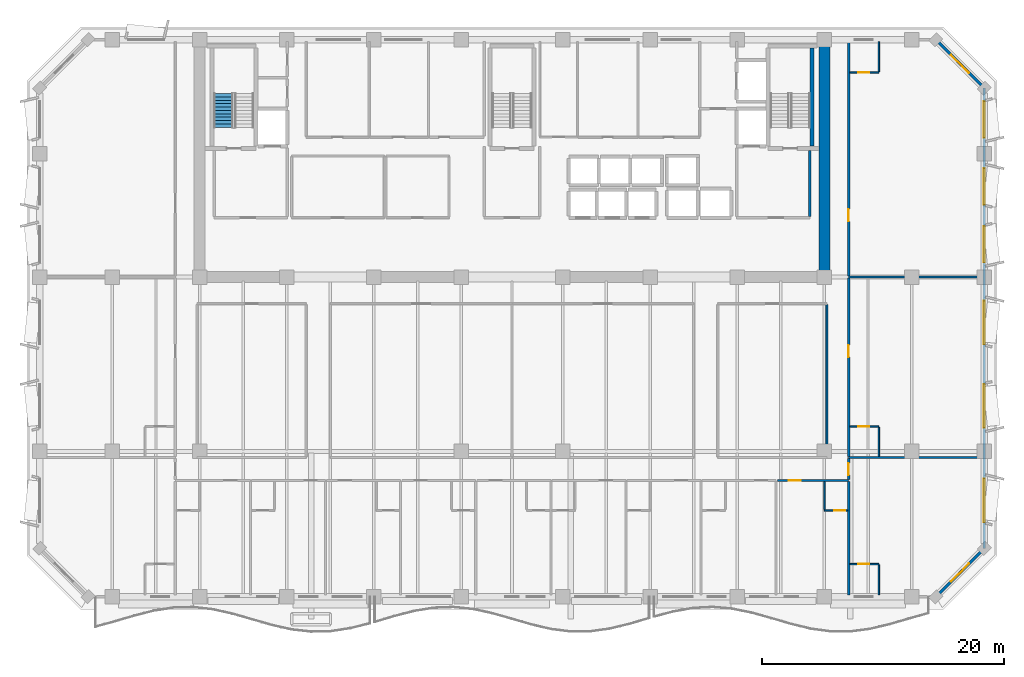
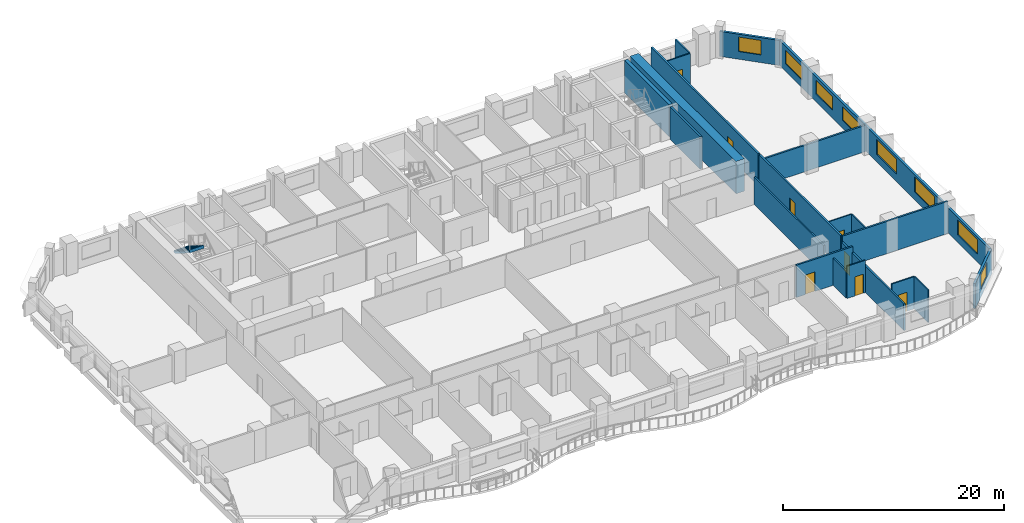
# One storey, part 9 of 15: 22 walls, 8 doors, 8 windows, 1 stair flight, 16 openings, 1 element without a shape of its own.
"""IFC4 building model written with IfcOpenShell, lengths in metres."""

from ifc_helpers import new_model, si_unit, direction, frame, frame_2d, origin, place, context, subcontext, project, spatial, polyline, rectangle, outline, extrude, material, layer, layer_set, type_object, element, fill, aggregate, save


model = new_model("IFC4")

# Units and contexts
model_context = context("Model", 3, precision=1e-05, world=origin(), true_north=direction((0.0, 1.0)))
body_context = subcontext(model_context, "Body", "Model", "MODEL_VIEW")
ifc_project = project(units=[si_unit("LENGTHUNIT", "METRE"), si_unit("AREAUNIT", "SQUARE_METRE"), si_unit("VOLUMEUNIT", "CUBIC_METRE"), si_unit("PLANEANGLEUNIT", "RADIAN"), si_unit("MASSUNIT", "GRAM", prefix="KILO")], contexts=[model_context])

# Site, building, storey
site_placement = place(None, origin())
site = spatial("IfcSite", under=ifc_project, at=site_placement, CompositionType="ELEMENT")
building_placement = place(site_placement, origin())
building = spatial("IfcBuilding", under=site, at=building_placement, Name="Kaelvorn Grand Hotel", CompositionType="ELEMENT")
storey_placement = place(building_placement, frame((0.0, 0.0, 150.550048828125)))
storey = spatial("IfcBuildingStorey", under=building, at=storey_placement, Name="L36", CompositionType="ELEMENT", Elevation=150.550048828125)

# Wall
ifc_material_1 = material(Name="Concrete C60/75", Category="concrete")
ifc_layer_1 = layer(ifc_material_1, 0.89990234375)
ifc_layer_set_1 = layer_set([ifc_layer_1], Name="Concrete C60/75")
wall_type_1 = type_object("IfcWallType", Name="WL-CORE-900-C60", PredefinedType="SHEAR", material=ifc_layer_set_1)
wall_1_placement = place(storey_placement, frame((67.800048828125, 29.39990234375, 0.0), z_axis=(0.0, 0.0, 1.0), x_axis=(0.0, 1.0, 0.0)))
element("IfcWall", 1, at=wall_1_placement, inside=storey, type_object=wall_type_1, Name="L36 Rear-Core East Shear Wall", PredefinedType="SHEAR", context=body_context, shape_type="SweptSolid", body=[
    extrude(rectangle(XDim=19.2001953125, YDim=0.89990234375, at=frame_2d((9.60009765625, 0.0))), origin(), (0.0, 0.0, 1.0), 3.56005859375),
])

# Wall, opening, window
ifc_material_2 = material(Name="Concrete C40/50", Category="concrete")
ifc_layer_2 = layer(ifc_material_2, 0.239990234375)
ifc_layer_set_2 = layer_set([ifc_layer_2], Name="Concrete C40/50")
wall_type_2 = type_object("IfcWallType", Name="WL-EXT-240-C40", PredefinedType="SOLIDWALL", material=ifc_layer_set_2)
wall_2_placement = place(storey_placement, frame((77.0, 3.0, 0.0), z_axis=(0.0, 0.0, 1.0), x_axis=(0.707106781187, 0.707106781187, 0.0)))
wall_2 = element("IfcWall", 2, at=wall_2_placement, inside=storey, type_object=wall_type_2, Name="L36 Exterior Architectural Concrete Wall 02", PredefinedType="SOLIDWALL", context=body_context, shape_type="SweptSolid", body=[
    extrude(rectangle(XDim=5.65673828125, YDim=0.239990234375, at=frame_2d((2.828369140625, 0.0))), origin(), (0.0, 0.0, 1.0), 2.760009765625),
])
opening_1_placement = place(wall_2_placement, frame((1.7783203125, 0.0, 0.85009765625)))
opening_1 = element("IfcOpeningElement", 3, at=opening_1_placement, cuts=wall_2, Name="Opening W7", PredefinedType="OPENING", context=body_context, shape_type="SweptSolid", body=[
    extrude(rectangle(XDim=2.10009765625, YDim=1.60009765625, at=frame_2d((1.050048828125, 0.800048828125))), frame((0.0, 0.1298828125, 0.0), z_axis=(0.0, -1.0, 0.0), x_axis=(1.0, 0.0, 0.0)), (0.0, 0.0, 1.0), 0.260009765625),
])
ifc_material_3 = material(Name="Laminated Low-E Glass", Category="glass")
window_type_1 = type_object("IfcWindowType", Name="WIN-CHM-2100x1600", PartitioningType="SINGLE_PANEL", PredefinedType="WINDOW", material=ifc_material_3)
window_1_placement = place(opening_1_placement, origin())
window_1 = element("IfcWindow", 4, at=window_1_placement, inside=storey, type_object=window_type_1, Name="L36 Chamfered 45-Degree Corner Window SE", OverallHeight=1.60009765625, OverallWidth=2.10009765625, PartitioningType="SINGLE_PANEL", PredefinedType="WINDOW", context=body_context, shape_type="SweptSolid", body=[
    extrude(rectangle(XDim=2.10009765625, YDim=1.60009765625, at=frame_2d((1.050048828125, 0.800048828125))), frame((0.0, 0.030029296875, 0.0), z_axis=(0.0, -1.0, 0.0), x_axis=(1.0, 0.0, 0.0)), (0.0, 0.0, 1.0), 0.06005859375),
])
fill(opening_1, window_1)

# Wall, openings, windows
wall_3_placement = place(storey_placement, frame((81.0, 7.0, 0.0), z_axis=(0.0, 0.0, 1.0), x_axis=(0.0, 1.0, 0.0)))
wall_3 = element("IfcWall", 5, at=wall_3_placement, inside=storey, type_object=wall_type_2, Name="L36 Exterior Architectural Concrete Wall 03", PredefinedType="SOLIDWALL", context=body_context, shape_type="SweptSolid", body=[
    extrude(rectangle(XDim=38.0, YDim=0.239990234375, at=frame_2d((19.0, 0.0))), origin(), (0.0, 0.0, 1.0), 2.760009765625),
])
opening_2_placement = place(wall_3_placement, frame((2.14990234375, 0.0, 0.85009765625)))
opening_2 = element("IfcOpeningElement", 6, at=opening_2_placement, cuts=wall_3, Name="Opening W3", PredefinedType="OPENING", context=body_context, shape_type="SweptSolid", body=[
    extrude(rectangle(XDim=3.60009765625, YDim=1.64990234375, at=frame_2d((1.800048828125, 0.824951171875))), frame((0.0, 0.1298828125, 0.0), z_axis=(0.0, -1.0, 0.0), x_axis=(1.0, 0.0, 0.0)), (0.0, 0.0, 1.0), 0.260009765625),
])
opening_3_placement = place(wall_3_placement, frame((9.965087890625, 0.0, 0.85009765625)))
opening_3 = element("IfcOpeningElement", 7, at=opening_3_placement, cuts=wall_3, Name="Opening W3", PredefinedType="OPENING", context=body_context, shape_type="SweptSolid", body=[
    extrude(rectangle(XDim=3.60009765625, YDim=1.64990234375, at=frame_2d((1.800048828125, 0.824951171875))), frame((0.0, 0.1298828125, 0.0), z_axis=(0.0, -1.0, 0.0), x_axis=(1.0, 0.0, 0.0)), (0.0, 0.0, 1.0), 0.260009765625),
])
opening_4_placement = place(wall_3_placement, frame((16.8349609375, 0.0, 0.85009765625)))
opening_4 = element("IfcOpeningElement", 8, at=opening_4_placement, cuts=wall_3, Name="Opening W3", PredefinedType="OPENING", context=body_context, shape_type="SweptSolid", body=[
    extrude(rectangle(XDim=3.60009765625, YDim=1.64990234375, at=frame_2d((1.800048828125, 0.824951171875))), frame((0.0, 0.1298828125, 0.0), z_axis=(0.0, -1.0, 0.0), x_axis=(1.0, 0.0, 0.0)), (0.0, 0.0, 1.0), 0.260009765625),
])
opening_5_placement = place(wall_3_placement, frame((23.614990234375, 0.0, 0.85009765625)))
opening_5 = element("IfcOpeningElement", 9, at=opening_5_placement, cuts=wall_3, Name="Opening W5", PredefinedType="OPENING", context=body_context, shape_type="SweptSolid", body=[
    extrude(rectangle(XDim=3.0, YDim=1.5, at=frame_2d((1.5, 0.75))), frame((0.0, 0.1298828125, 0.0), z_axis=(0.0, -1.0, 0.0), x_axis=(1.0, 0.0, 0.0)), (0.0, 0.0, 1.0), 0.260009765625),
])
opening_6_placement = place(wall_3_placement, frame((28.385009765625, 0.0, 0.85009765625)))
opening_6 = element("IfcOpeningElement", 10, at=opening_6_placement, cuts=wall_3, Name="Opening W5", PredefinedType="OPENING", context=body_context, shape_type="SweptSolid", body=[
    extrude(rectangle(XDim=3.0, YDim=1.5, at=frame_2d((1.5, 0.75))), frame((0.0, 0.1298828125, 0.0), z_axis=(0.0, -1.0, 0.0), x_axis=(1.0, 0.0, 0.0)), (0.0, 0.0, 1.0), 0.260009765625),
])
opening_7_placement = place(wall_3_placement, frame((33.9150390625, 0.0, 0.85009765625)))
opening_7 = element("IfcOpeningElement", 11, at=opening_7_placement, cuts=wall_3, Name="Opening W5", PredefinedType="OPENING", context=body_context, shape_type="SweptSolid", body=[
    extrude(rectangle(XDim=3.0, YDim=1.5, at=frame_2d((1.5, 0.75))), frame((0.0, 0.1298828125, 0.0), z_axis=(0.0, -1.0, 0.0), x_axis=(1.0, 0.0, 0.0)), (0.0, 0.0, 1.0), 0.260009765625),
])
window_type_2 = type_object("IfcWindowType", Name="WIN-NTH-3000x1500", PartitioningType="SINGLE_PANEL", PredefinedType="WINDOW", material=ifc_material_3)
window_2_placement = place(opening_5_placement, origin())
window_2 = element("IfcWindow", 12, at=window_2_placement, inside=storey, type_object=window_type_2, Name="L36 E Wing Tilted-Frame Ribbon Window E04", OverallHeight=1.5, OverallWidth=3.0, PartitioningType="SINGLE_PANEL", PredefinedType="WINDOW", context=body_context, shape_type="SweptSolid", body=[
    extrude(rectangle(XDim=3.0, YDim=1.5, at=frame_2d((1.5, 0.75))), frame((0.0, 0.030029296875, 0.0), z_axis=(0.0, -1.0, 0.0), x_axis=(1.0, 0.0, 0.0)), (0.0, 0.0, 1.0), 0.06005859375),
])
fill(opening_5, window_2)
window_3_placement = place(opening_6_placement, origin())
window_3 = element("IfcWindow", 13, at=window_3_placement, inside=storey, type_object=window_type_2, Name="L36 E Wing Tilted-Frame Ribbon Window E05", OverallHeight=1.5, OverallWidth=3.0, PartitioningType="SINGLE_PANEL", PredefinedType="WINDOW", context=body_context, shape_type="SweptSolid", body=[
    extrude(rectangle(XDim=3.0, YDim=1.5, at=frame_2d((1.5, 0.75))), frame((0.0, 0.030029296875, 0.0), z_axis=(0.0, -1.0, 0.0), x_axis=(1.0, 0.0, 0.0)), (0.0, 0.0, 1.0), 0.06005859375),
])
fill(opening_6, window_3)
window_4_placement = place(opening_7_placement, origin())
window_4 = element("IfcWindow", 14, at=window_4_placement, inside=storey, type_object=window_type_2, Name="L36 E Wing Tilted-Frame Ribbon Window E06", OverallHeight=1.5, OverallWidth=3.0, PartitioningType="SINGLE_PANEL", PredefinedType="WINDOW", context=body_context, shape_type="SweptSolid", body=[
    extrude(rectangle(XDim=3.0, YDim=1.5, at=frame_2d((1.5, 0.75))), frame((0.0, 0.030029296875, 0.0), z_axis=(0.0, -1.0, 0.0), x_axis=(1.0, 0.0, 0.0)), (0.0, 0.0, 1.0), 0.06005859375),
])
fill(opening_7, window_4)
window_type_3 = type_object("IfcWindowType", Name="WIN-RIB-3600x1750", PartitioningType="SINGLE_PANEL", PredefinedType="WINDOW", material=ifc_material_3)
window_5_placement = place(opening_2_placement, origin())
window_5 = element("IfcWindow", 15, at=window_5_placement, inside=storey, type_object=window_type_3, Name="L36 E Wing Tilted-Frame Ribbon Window E01", OverallHeight=1.64990234375, OverallWidth=3.60009765625, PartitioningType="SINGLE_PANEL", PredefinedType="WINDOW", context=body_context, shape_type="SweptSolid", body=[
    extrude(rectangle(XDim=3.60009765625, YDim=1.64990234375, at=frame_2d((1.800048828125, 0.824951171875))), frame((0.0, 0.030029296875, 0.0), z_axis=(0.0, -1.0, 0.0), x_axis=(1.0, 0.0, 0.0)), (0.0, 0.0, 1.0), 0.06005859375),
])
fill(opening_2, window_5)
window_6_placement = place(opening_3_placement, origin())
window_6 = element("IfcWindow", 16, at=window_6_placement, inside=storey, type_object=window_type_3, Name="L36 E Wing Tilted-Frame Ribbon Window E02", OverallHeight=1.64990234375, OverallWidth=3.60009765625, PartitioningType="SINGLE_PANEL", PredefinedType="WINDOW", context=body_context, shape_type="SweptSolid", body=[
    extrude(rectangle(XDim=3.60009765625, YDim=1.64990234375, at=frame_2d((1.800048828125, 0.824951171875))), frame((0.0, 0.030029296875, 0.0), z_axis=(0.0, -1.0, 0.0), x_axis=(1.0, 0.0, 0.0)), (0.0, 0.0, 1.0), 0.06005859375),
])
fill(opening_3, window_6)
window_7_placement = place(opening_4_placement, origin())
window_7 = element("IfcWindow", 17, at=window_7_placement, inside=storey, type_object=window_type_3, Name="L36 E Wing Tilted-Frame Ribbon Window E03", OverallHeight=1.64990234375, OverallWidth=3.60009765625, PartitioningType="SINGLE_PANEL", PredefinedType="WINDOW", context=body_context, shape_type="SweptSolid", body=[
    extrude(rectangle(XDim=3.60009765625, YDim=1.64990234375, at=frame_2d((1.800048828125, 0.824951171875))), frame((0.0, 0.030029296875, 0.0), z_axis=(0.0, -1.0, 0.0), x_axis=(1.0, 0.0, 0.0)), (0.0, 0.0, 1.0), 0.06005859375),
])
fill(opening_4, window_7)

# Wall, opening, window
wall_4_placement = place(storey_placement, frame((81.0, 45.0, 0.0), z_axis=(0.0, 0.0, 1.0), x_axis=(-0.707106781187, 0.707106781187, 0.0)))
wall_4 = element("IfcWall", 18, at=wall_4_placement, inside=storey, type_object=wall_type_2, Name="L36 Exterior Architectural Concrete Wall 04", PredefinedType="SOLIDWALL", context=body_context, shape_type="SweptSolid", body=[
    extrude(rectangle(XDim=5.65673828125, YDim=0.239990234375, at=frame_2d((2.828369140625, 0.0))), origin(), (0.0, 0.0, 1.0), 2.760009765625),
])
opening_8_placement = place(wall_4_placement, frame((1.7783203125, 0.0, 0.85009765625)))
opening_8 = element("IfcOpeningElement", 19, at=opening_8_placement, cuts=wall_4, Name="Opening W7", PredefinedType="OPENING", context=body_context, shape_type="SweptSolid", body=[
    extrude(rectangle(XDim=2.10009765625, YDim=1.60009765625, at=frame_2d((1.050048828125, 0.800048828125))), frame((0.0, 0.1298828125, 0.0), z_axis=(0.0, -1.0, 0.0), x_axis=(1.0, 0.0, 0.0)), (0.0, 0.0, 1.0), 0.260009765625),
])
window_8_placement = place(opening_8_placement, origin())
window_8 = element("IfcWindow", 20, at=window_8_placement, inside=storey, type_object=window_type_1, Name="L36 Chamfered 45-Degree Corner Window NE", OverallHeight=1.60009765625, OverallWidth=2.10009765625, PartitioningType="SINGLE_PANEL", PredefinedType="WINDOW", context=body_context, shape_type="SweptSolid", body=[
    extrude(rectangle(XDim=2.10009765625, YDim=1.60009765625, at=frame_2d((1.050048828125, 0.800048828125))), frame((0.0, 0.030029296875, 0.0), z_axis=(0.0, -1.0, 0.0), x_axis=(1.0, 0.0, 0.0)), (0.0, 0.0, 1.0), 0.06005859375),
])
fill(opening_8, window_8)

# Wall, opening, door
ifc_material_4 = material(Name="Moisture-Resistant Tile & Stud Board")
ifc_layer_3 = layer(ifc_material_4, 0.125)
ifc_layer_set_3 = layer_set([ifc_layer_3], Name="Moisture-Resistant Tile & Stud Board")
wall_type_3 = type_object("IfcWallType", Name="WL-PART-125-WET", PredefinedType="PARTITIONING", material=ifc_layer_set_3)
wall_5_placement = place(storey_placement, frame((67.800048828125, 10.139892578125, 0.0), z_axis=(0.0, 0.0, 1.0), x_axis=(1.0, 0.0, 0.0)))
wall_5 = element("IfcWall", 21, at=wall_5_placement, inside=storey, type_object=wall_type_3, Name="L36 En-suite Bathroom L36-09 S Partition", PredefinedType="PARTITIONING", context=body_context, shape_type="SweptSolid", body=[
    extrude(rectangle(XDim=1.905029296875, YDim=0.125, at=frame_2d((0.95263671875, 0.0))), origin(), (0.0, 0.0, 1.0), 3.56005859375),
])
opening_9_placement = place(wall_5_placement, frame((0.800048828125, 0.0, 0.0)))
opening_9 = element("IfcOpeningElement", 22, at=opening_9_placement, cuts=wall_5, Name="Opening DI4", PredefinedType="OPENING", context=body_context, shape_type="SweptSolid", body=[
    extrude(rectangle(XDim=0.89990234375, YDim=2.10009765625, at=frame_2d((0.449951171875, 1.050048828125))), frame((0.0, 0.072509765625, 0.0), z_axis=(0.0, -1.0, 0.0), x_axis=(1.0, 0.0, 0.0)), (0.0, 0.0, 1.0), 0.14501953125),
])
ifc_material_5 = material(Name="Timber Veneer Leaf", Category="wood")
door_type_1 = type_object("IfcDoorType", Name="DR-INT-BATH-900x2100", OperationType="NOTDEFINED", PredefinedType="DOOR", material=ifc_material_5)
door_1_placement = place(opening_9_placement, origin())
door_1 = element("IfcDoor", 23, at=door_1_placement, inside=storey, type_object=door_type_1, Name="L36 En-suite Bathroom L36-09 Door", OperationType="SINGLE_SWING_LEFT", OverallHeight=2.10009765625, OverallWidth=0.89990234375, PredefinedType="DOOR", context=body_context, shape_type="SweptSolid", body=[
    extrude(rectangle(XDim=0.89990234375, YDim=2.10009765625, at=frame_2d((0.449951171875, 1.050048828125))), frame((0.0, 0.02490234375, 0.0), z_axis=(0.0, -1.0, 0.0), x_axis=(1.0, 0.0, 0.0)), (0.0, 0.0, 1.0), 0.050048828125),
])
fill(opening_9, door_1)

# Wall
wall_6_placement = place(storey_placement, frame((67.800048828125, 10.20751953125, 0.0), z_axis=(0.0, 0.0, 1.0), x_axis=(0.0, 1.0, 0.0)))
element("IfcWall", 24, at=wall_6_placement, inside=storey, type_object=wall_type_3, Name="L36 En-suite Bathroom L36-09 W Partition", PredefinedType="PARTITIONING", context=body_context, shape_type="SweptSolid", body=[
    extrude(rectangle(XDim=2.29736328125, YDim=0.125, at=frame_2d((1.148681640625, 0.0))), origin(), (0.0, 0.0, 1.0), 3.010009765625),
])

# Wall, opening, door
wall_7_placement = place(storey_placement, frame((69.89501953125, 5.699951171875, 0.0), z_axis=(0.0, 0.0, 1.0), x_axis=(1.0, 0.0, 0.0)))
wall_7 = element("IfcWall", 25, at=wall_7_placement, inside=storey, type_object=wall_type_3, Name="L36 En-suite Bathroom L36-12 N Partition", PredefinedType="PARTITIONING", context=body_context, shape_type="SweptSolid", body=[
    extrude(rectangle(XDim=2.405029296875, YDim=0.125, at=frame_2d((1.20263671875, 0.0))), origin(), (0.0, 0.0, 1.0), 3.56005859375),
])
opening_10_placement = place(wall_7_placement, frame((0.705078125, 0.0, 0.0)))
opening_10 = element("IfcOpeningElement", 26, at=opening_10_placement, cuts=wall_7, Name="Opening DI4", PredefinedType="OPENING", context=body_context, shape_type="SweptSolid", body=[
    extrude(rectangle(XDim=0.89990234375, YDim=2.10009765625, at=frame_2d((0.449951171875, 1.050048828125))), frame((0.0, 0.072509765625, 0.0), z_axis=(0.0, -1.0, 0.0), x_axis=(1.0, 0.0, 0.0)), (0.0, 0.0, 1.0), 0.14501953125),
])
door_2_placement = place(opening_10_placement, origin())
door_2 = element("IfcDoor", 27, at=door_2_placement, inside=storey, type_object=door_type_1, Name="L36 En-suite Bathroom L36-12 Door", OperationType="SINGLE_SWING_LEFT", OverallHeight=2.10009765625, OverallWidth=0.89990234375, PredefinedType="DOOR", context=body_context, shape_type="SweptSolid", body=[
    extrude(rectangle(XDim=0.89990234375, YDim=2.10009765625, at=frame_2d((0.449951171875, 1.050048828125))), frame((0.0, 0.02490234375, 0.0), z_axis=(0.0, -1.0, 0.0), x_axis=(1.0, 0.0, 0.0)), (0.0, 0.0, 1.0), 0.050048828125),
])
fill(opening_10, door_2)

# Wall
wall_8_placement = place(storey_placement, frame((72.300048828125, 3.14990234375, 0.0), z_axis=(0.0, 0.0, 1.0), x_axis=(0.0, 1.0, 0.0)))
element("IfcWall", 28, at=wall_8_placement, inside=storey, type_object=wall_type_3, Name="L36 En-suite Bathroom L36-12 E Partition", PredefinedType="PARTITIONING", context=body_context, shape_type="SweptSolid", body=[
    extrude(rectangle(XDim=2.482666015625, YDim=0.125, at=frame_2d((1.2412109375, 0.0))), origin(), (0.0, 0.0, 1.0), 3.56005859375),
])

# Wall, opening, door
wall_9_placement = place(storey_placement, frame((69.89501953125, 17.050048828125, 0.0), z_axis=(0.0, 0.0, 1.0), x_axis=(1.0, 0.0, 0.0)))
wall_9 = element("IfcWall", 29, at=wall_9_placement, inside=storey, type_object=wall_type_3, Name="L36 En-suite Bathroom L36-13 N Partition", PredefinedType="PARTITIONING", context=body_context, shape_type="SweptSolid", body=[
    extrude(rectangle(XDim=2.405029296875, YDim=0.125, at=frame_2d((1.20263671875, 0.0))), origin(), (0.0, 0.0, 1.0), 3.56005859375),
])
opening_11_placement = place(wall_9_placement, frame((0.705078125, 0.0, 0.0)))
opening_11 = element("IfcOpeningElement", 30, at=opening_11_placement, cuts=wall_9, Name="Opening DI4", PredefinedType="OPENING", context=body_context, shape_type="SweptSolid", body=[
    extrude(rectangle(XDim=0.89990234375, YDim=2.10009765625, at=frame_2d((0.449951171875, 1.050048828125))), frame((0.0, 0.072509765625, 0.0), z_axis=(0.0, -1.0, 0.0), x_axis=(1.0, 0.0, 0.0)), (0.0, 0.0, 1.0), 0.14501953125),
])
door_3_placement = place(opening_11_placement, origin())
door_3 = element("IfcDoor", 31, at=door_3_placement, inside=storey, type_object=door_type_1, Name="L36 En-suite Bathroom L36-13 Door", OperationType="SINGLE_SWING_LEFT", OverallHeight=2.10009765625, OverallWidth=0.89990234375, PredefinedType="DOOR", context=body_context, shape_type="SweptSolid", body=[
    extrude(rectangle(XDim=0.89990234375, YDim=2.10009765625, at=frame_2d((0.449951171875, 1.050048828125))), frame((0.0, 0.02490234375, 0.0), z_axis=(0.0, -1.0, 0.0), x_axis=(1.0, 0.0, 0.0)), (0.0, 0.0, 1.0), 0.050048828125),
])
fill(opening_11, door_3)

# Wall
wall_10_placement = place(storey_placement, frame((72.300048828125, 14.594970703125, 0.0), z_axis=(0.0, 0.0, 1.0), x_axis=(0.0, 1.0, 0.0)))
element("IfcWall", 32, at=wall_10_placement, inside=storey, type_object=wall_type_3, Name="L36 En-suite Bathroom L36-13 E Partition", PredefinedType="PARTITIONING", context=body_context, shape_type="SweptSolid", body=[
    extrude(rectangle(XDim=2.387451171875, YDim=0.125, at=frame_2d((1.19384765625, 0.0))), origin(), (0.0, 0.0, 1.0), 3.56005859375),
])

# Wall, opening, door
wall_11_placement = place(storey_placement, frame((69.89501953125, 46.300048828125, 0.0), z_axis=(0.0, 0.0, 1.0), x_axis=(1.0, 0.0, 0.0)))
wall_11 = element("IfcWall", 33, at=wall_11_placement, inside=storey, type_object=wall_type_3, Name="L36 En-suite Bathroom L36-14 S Partition", PredefinedType="PARTITIONING", context=body_context, shape_type="SweptSolid", body=[
    extrude(rectangle(XDim=2.405029296875, YDim=0.125, at=frame_2d((1.20263671875, 0.0))), origin(), (0.0, 0.0, 1.0), 3.56005859375),
])
opening_12_placement = place(wall_11_placement, frame((0.705078125, 0.0, 0.0)))
opening_12 = element("IfcOpeningElement", 34, at=opening_12_placement, cuts=wall_11, Name="Opening DI4", PredefinedType="OPENING", context=body_context, shape_type="SweptSolid", body=[
    extrude(rectangle(XDim=0.89990234375, YDim=2.10009765625, at=frame_2d((0.449951171875, 1.050048828125))), frame((0.0, 0.072509765625, 0.0), z_axis=(0.0, -1.0, 0.0), x_axis=(1.0, 0.0, 0.0)), (0.0, 0.0, 1.0), 0.14501953125),
])
door_4_placement = place(opening_12_placement, origin())
door_4 = element("IfcDoor", 35, at=door_4_placement, inside=storey, type_object=door_type_1, Name="L36 En-suite Bathroom L36-14 Door", OperationType="SINGLE_SWING_LEFT", OverallHeight=2.10009765625, OverallWidth=0.89990234375, PredefinedType="DOOR", context=body_context, shape_type="SweptSolid", body=[
    extrude(rectangle(XDim=0.89990234375, YDim=2.10009765625, at=frame_2d((0.449951171875, 1.050048828125))), frame((0.0, 0.02490234375, 0.0), z_axis=(0.0, -1.0, 0.0), x_axis=(1.0, 0.0, 0.0)), (0.0, 0.0, 1.0), 0.050048828125),
])
fill(opening_12, door_4)

# Walls
wall_12_placement = place(storey_placement, frame((72.300048828125, 46.367431640625, 0.0), z_axis=(0.0, 0.0, 1.0), x_axis=(0.0, 1.0, 0.0)))
element("IfcWall", 36, at=wall_12_placement, inside=storey, type_object=wall_type_3, Name="L36 En-suite Bathroom L36-14 E Partition", PredefinedType="PARTITIONING", context=body_context, shape_type="SweptSolid", body=[
    extrude(rectangle(XDim=2.482666015625, YDim=0.125, at=frame_2d((1.2412109375, 0.0))), origin(), (0.0, 0.0, 1.0), 3.56005859375),
])
ifc_material_6 = material(Name="Acoustic Gypsum & Stud Partition")
ifc_layer_4 = layer(ifc_material_6, 0.14990234375)
ifc_layer_set_4 = layer_set([ifc_layer_4], Name="Acoustic Gypsum & Stud Partition")
wall_type_4 = type_object("IfcWallType", Name="WL-PART-150-EI60", PredefinedType="PARTITIONING", material=ifc_layer_set_4)
wall_13_placement = place(storey_placement, frame((68.0, 14.580078125, 0.0), z_axis=(0.0, 0.0, 1.0), x_axis=(0.0, 1.0, 0.0)))
element("IfcWall", 37, at=wall_13_placement, inside=storey, type_object=wall_type_4, Name="L36 Concierge Admin Office E Partition", PredefinedType="PARTITIONING", context=body_context, shape_type="SweptSolid", body=[
    extrude(rectangle(XDim=12.5400390625, YDim=0.14990234375, at=frame_2d((6.27001953125, 0.0))), origin(), (0.0, 0.0, 1.0), 3.06005859375),
])

# Wall, opening, door
ifc_layer_5 = layer(ifc_material_6, 0.179931640625)
ifc_layer_set_5 = layer_set([ifc_layer_5], Name="Acoustic Gypsum & Stud Partition")
wall_type_5 = type_object("IfcWallType", Name="WL-PART-180-EI60", PredefinedType="PARTITIONING", material=ifc_layer_set_5)
wall_14_placement = place(storey_placement, frame((63.9072265625, 12.60009765625, 0.0), z_axis=(0.0, 0.0, 1.0), x_axis=(1.0, 0.0, 0.0)))
wall_14 = element("IfcWall", 38, at=wall_14_placement, inside=storey, type_object=wall_type_5, Name="L36 Superior King Guest Room L36-09 N Partition", PredefinedType="PARTITIONING", context=body_context, shape_type="SweptSolid", body=[
    extrude(rectangle(XDim=5.892822265625, YDim=0.179931640625, at=frame_2d((2.9462890625, 0.0))), origin(), (0.0, 0.0, 1.0), 3.56005859375),
])
opening_13_placement = place(wall_14_placement, frame((0.94873046875, 0.0, 0.0)))
opening_13 = element("IfcOpeningElement", 39, at=opening_13_placement, cuts=wall_14, Name="Opening DI3", PredefinedType="OPENING", context=body_context, shape_type="SweptSolid", body=[
    extrude(rectangle(XDim=1.0, YDim=2.14990234375, at=frame_2d((0.5, 1.074951171875))), frame((0.0, 0.10009765625, 0.0), z_axis=(0.0, -1.0, 0.0), x_axis=(1.0, 0.0, 0.0)), (0.0, 0.0, 1.0), 0.199951171875),
])
ifc_material_7 = material(Name="Timber Veneer Fire Leaf", Category="wood")
door_type_2 = type_object("IfcDoorType", Name="DR-INT-GUEST-1000x2150", OperationType="NOTDEFINED", PredefinedType="DOOR", material=ifc_material_7)
door_5_placement = place(opening_13_placement, origin())
door_5 = element("IfcDoor", 40, at=door_5_placement, inside=storey, type_object=door_type_2, Name="L36 Superior King Guest Room L36-09 Door", OperationType="SINGLE_SWING_RIGHT", OverallHeight=2.14990234375, OverallWidth=1.0, PredefinedType="DOOR", context=body_context, shape_type="SweptSolid", body=[
    extrude(rectangle(XDim=1.0, YDim=2.14990234375, at=frame_2d((0.5, 1.074951171875))), frame((0.0, 0.02490234375, 0.0), z_axis=(0.0, -1.0, 0.0), x_axis=(1.0, 0.0, 0.0)), (0.0, 0.0, 1.0), 0.050048828125),
])
fill(opening_13, door_5)

# Walls
wall_15_placement = place(storey_placement, frame((69.800048828125, 3.14990234375, 0.0), z_axis=(0.0, 0.0, 1.0), x_axis=(0.0, 1.0, 0.0)))
element("IfcWall", 41, at=wall_15_placement, inside=storey, type_object=wall_type_5, Name="L36 Superior King Guest Room L36-09 E Partition", PredefinedType="PARTITIONING", context=body_context, shape_type="SweptSolid", body=[
    extrude(rectangle(XDim=9.35498046875, YDim=0.179931640625, at=frame_2d((4.677490234375, 0.0))), origin(), (0.0, 0.0, 1.0), 2.929931640625),
])
wall_16_placement = place(storey_placement, frame((69.800048828125, 14.5, 0.0), z_axis=(0.0, 0.0, 1.0), x_axis=(1.0, 0.0, 0.0)))
element("IfcWall", 42, at=wall_16_placement, inside=storey, type_object=wall_type_5, Name="L36 South-East Chamfer Suite L36-12 N Partition", PredefinedType="PARTITIONING", context=body_context, shape_type="SweptSolid", body=[
    extrude(rectangle(XDim=11.050048828125, YDim=0.179931640625, at=frame_2d((5.52490234375, 0.0))), origin(), (0.0, 0.0, 1.0), 3.56005859375),
])

# Wall, opening, door
wall_17_placement = place(storey_placement, frame((69.800048828125, 12.695068359375, 0.0), z_axis=(0.0, 0.0, 1.0), x_axis=(0.0, 1.0, 0.0)))
wall_17 = element("IfcWall", 43, at=wall_17_placement, inside=storey, type_object=wall_type_5, Name="L36 South-East Chamfer Suite L36-12 W Partition", PredefinedType="PARTITIONING", context=body_context, shape_type="SweptSolid", body=[
    extrude(rectangle(XDim=1.7099609375, YDim=0.179931640625, at=frame_2d((0.85498046875, 0.0))), origin(), (0.0, 0.0, 1.0), 2.929931640625),
])
opening_14_placement = place(wall_17_placement, frame((0.35009765625, 0.0, 0.0)))
opening_14 = element("IfcOpeningElement", 44, at=opening_14_placement, cuts=wall_17, Name="Opening DI3", PredefinedType="OPENING", context=body_context, shape_type="SweptSolid", body=[
    extrude(rectangle(XDim=1.0, YDim=2.14990234375, at=frame_2d((0.5, 1.074951171875))), frame((0.0, 0.10009765625, 0.0), z_axis=(0.0, -1.0, 0.0), x_axis=(1.0, 0.0, 0.0)), (0.0, 0.0, 1.0), 0.199951171875),
])
door_6_placement = place(opening_14_placement, origin())
door_6 = element("IfcDoor", 45, at=door_6_placement, inside=storey, type_object=door_type_2, Name="L36 South-East Chamfer Suite L36-12 Door", OperationType="SINGLE_SWING_RIGHT", OverallHeight=2.14990234375, OverallWidth=1.0, PredefinedType="DOOR", context=body_context, shape_type="SweptSolid", body=[
    extrude(rectangle(XDim=1.0, YDim=2.14990234375, at=frame_2d((0.5, 1.074951171875))), frame((0.0, 0.02490234375, 0.0), z_axis=(0.0, -1.0, 0.0), x_axis=(1.0, 0.0, 0.0)), (0.0, 0.0, 1.0), 0.050048828125),
])
fill(opening_14, door_6)

# Wall
wall_18_placement = place(storey_placement, frame((69.800048828125, 29.39990234375, 0.0), z_axis=(0.0, 0.0, 1.0), x_axis=(1.0, 0.0, 0.0)))
element("IfcWall", 46, at=wall_18_placement, inside=storey, type_object=wall_type_5, Name="L36 East End Panoramic Suite L36-13 N Partition", PredefinedType="PARTITIONING", context=body_context, shape_type="SweptSolid", body=[
    extrude(rectangle(XDim=11.050048828125, YDim=0.179931640625, at=frame_2d((5.52490234375, 0.0))), origin(), (0.0, 0.0, 1.0), 2.909912109375),
])

# Wall, opening, door
wall_19_placement = place(storey_placement, frame((69.800048828125, 14.594970703125, 0.0), z_axis=(0.0, 0.0, 1.0), x_axis=(0.0, 1.0, 0.0)))
wall_19 = element("IfcWall", 47, at=wall_19_placement, inside=storey, type_object=wall_type_5, Name="L36 East End Panoramic Suite L36-13 W Partition", PredefinedType="PARTITIONING", context=body_context, shape_type="SweptSolid", body=[
    extrude(rectangle(XDim=14.7099609375, YDim=0.179931640625, at=frame_2d((7.35498046875, 0.0))), origin(), (0.0, 0.0, 1.0), 3.56005859375),
])
opening_15_placement = place(wall_19_placement, frame((8.18994140625, 0.0, 0.0)))
opening_15 = element("IfcOpeningElement", 48, at=opening_15_placement, cuts=wall_19, Name="Opening DI3", PredefinedType="OPENING", context=body_context, shape_type="SweptSolid", body=[
    extrude(rectangle(XDim=1.0, YDim=2.14990234375, at=frame_2d((0.5, 1.074951171875))), frame((0.0, 0.10009765625, 0.0), z_axis=(0.0, -1.0, 0.0), x_axis=(1.0, 0.0, 0.0)), (0.0, 0.0, 1.0), 0.199951171875),
])
door_7_placement = place(opening_15_placement, origin())
door_7 = element("IfcDoor", 49, at=door_7_placement, inside=storey, type_object=door_type_2, Name="L36 East End Panoramic Suite L36-13 Door", OperationType="SINGLE_SWING_RIGHT", OverallHeight=2.14990234375, OverallWidth=1.0, PredefinedType="DOOR", context=body_context, shape_type="SweptSolid", body=[
    extrude(rectangle(XDim=1.0, YDim=2.14990234375, at=frame_2d((0.5, 1.074951171875))), frame((0.0, 0.02490234375, 0.0), z_axis=(0.0, -1.0, 0.0), x_axis=(1.0, 0.0, 0.0)), (0.0, 0.0, 1.0), 0.050048828125),
])
fill(opening_15, door_7)

wall_20_placement = place(storey_placement, frame((69.800048828125, 29.4951171875, 0.0), z_axis=(0.0, 0.0, 1.0), x_axis=(0.0, 1.0, 0.0)))
wall_20 = element("IfcWall", 50, at=wall_20_placement, inside=storey, type_object=wall_type_5, Name="L36 North-East Corner Suite L36-14 W Partition", PredefinedType="PARTITIONING", context=body_context, shape_type="SweptSolid", body=[
    extrude(rectangle(XDim=19.35498046875, YDim=0.179931640625, at=frame_2d((9.677490234375, 0.0))), origin(), (0.0, 0.0, 1.0), 3.56005859375),
])
opening_16_placement = place(wall_20_placement, frame((4.5048828125, 0.0, 0.0)))
opening_16 = element("IfcOpeningElement", 51, at=opening_16_placement, cuts=wall_20, Name="Opening DI3", PredefinedType="OPENING", context=body_context, shape_type="SweptSolid", body=[
    extrude(rectangle(XDim=1.0, YDim=2.14990234375, at=frame_2d((0.5, 1.074951171875))), frame((0.0, 0.10009765625, 0.0), z_axis=(0.0, -1.0, 0.0), x_axis=(1.0, 0.0, 0.0)), (0.0, 0.0, 1.0), 0.199951171875),
])
door_8_placement = place(opening_16_placement, origin())
door_8 = element("IfcDoor", 52, at=door_8_placement, inside=storey, type_object=door_type_2, Name="L36 North-East Corner Suite L36-14 Door", OperationType="SINGLE_SWING_RIGHT", OverallHeight=2.14990234375, OverallWidth=1.0, PredefinedType="DOOR", context=body_context, shape_type="SweptSolid", body=[
    extrude(rectangle(XDim=1.0, YDim=2.14990234375, at=frame_2d((0.5, 1.074951171875))), frame((0.0, 0.02490234375, 0.0), z_axis=(0.0, -1.0, 0.0), x_axis=(1.0, 0.0, 0.0)), (0.0, 0.0, 1.0), 0.050048828125),
])
fill(opening_16, door_8)

# Walls
ifc_layer_6 = layer(ifc_material_2, 0.219970703125)
ifc_layer_set_6 = layer_set([ifc_layer_6], Name="Concrete C40/50")
wall_type_6 = type_object("IfcWallType", Name="WL-PART-220-EI120", PredefinedType="PARTITIONING", material=ifc_layer_set_6)
wall_21_placement = place(storey_placement, frame((66.60009765625, 34.4150390625, 0.0), z_axis=(0.0, 0.0, 1.0), x_axis=(0.0, 1.0, 0.0)))
element("IfcWall", 53, at=wall_21_placement, inside=storey, type_object=wall_type_6, Name="L36 Firefighting Lift Lobby 2 E Partition", PredefinedType="PARTITIONING", context=body_context, shape_type="SweptSolid", body=[
    extrude(rectangle(XDim=5.429931640625, YDim=0.219970703125, at=frame_2d((2.71484375, 0.0))), origin(), (0.0, 0.0, 1.0), 3.56005859375),
])
ifc_layer_7 = layer(ifc_material_1, 0.35009765625)
ifc_layer_set_7 = layer_set([ifc_layer_7], Name="Concrete C60/75")
wall_type_7 = type_object("IfcWallType", Name="WL-SHAFT-350-C60", PredefinedType="SHEAR", material=ifc_layer_set_7)
wall_22_placement = place(storey_placement, frame((66.77490234375, 40.205078125, 0.0), z_axis=(0.0, 0.0, 1.0), x_axis=(0.0, 1.0, 0.0)))
element("IfcWall", 54, at=wall_22_placement, inside=storey, type_object=wall_type_7, Name="L36 ST3 Stair Shaft East Wall", PredefinedType="SHEAR", context=body_context, shape_type="SweptSolid", body=[
    extrude(rectangle(XDim=8.08984375, YDim=0.35009765625, at=frame_2d((4.044921875, 0.0))), origin(), (0.0, 0.0, 1.0), 3.56005859375),
])

# Stair, stair flight
stair_type = type_object("IfcStairType", Name="STR-DOG-1560-R08", PredefinedType="HALF_TURN_STAIR", material=ifc_material_2)
stair_placement = place(storey_placement, origin())
stair = element("IfcStair", 55, at=stair_placement, inside=storey, type_object=stair_type, Name="L36 West Core Exit Stair ST1", PredefinedType="HALF_TURN_STAIR")
stair_flight_type = type_object("IfcStairFlightType", Name="FLG-DOG-1560-R08", PredefinedType="STRAIGHT", material=ifc_material_2)
stair_flight_placement = place(storey_placement, frame((18.179931640625, 44.56005859375, 1.89990234375), z_axis=(0.0, 0.0, 1.0), x_axis=(0.0, -1.0, 0.0)))
stair_flight = element("IfcStairFlight", 56, at=stair_flight_placement, type_object=stair_flight_type, Name="ST1 flight 2", NumberOfRisers=11, NumberOfTreads=10, PredefinedType="STRAIGHT", RiserHeight=0.172727273, TreadLength=0.28, context=body_context, shape_type="SweptSolid", body=[
    extrude(outline(polyline([(-0.0048828125, 0.0), (-0.0048828125, 0.0400390625), (0.0, 0.172607421875), (0.280029296875, 0.172607421875), (0.280029296875, 0.345458984375), (0.56005859375, 0.345458984375), (0.56005859375, 0.51806640625), (0.840087890625, 0.51806640625), (0.840087890625, 0.69091796875), (1.1201171875, 0.69091796875), (1.1201171875, 0.863525390625), (1.39990234375, 0.863525390625), (1.39990234375, 1.036376953125), (1.679931640625, 1.036376953125), (1.679931640625, 1.208984375), (1.9599609375, 1.208984375), (1.9599609375, 1.3818359375), (2.239990234375, 1.3818359375), (2.239990234375, 1.554443359375), (2.52001953125, 1.554443359375), (2.52001953125, 1.727294921875), (2.800048828125, 1.727294921875), (2.800048828125, 1.89990234375), (2.804931640625, 1.89990234375), (2.804931640625, 1.551025390625), (0.285400390625, 0.0), (-0.0048828125, 0.0)])), frame((0.0, 0.780029296875, 0.0), z_axis=(0.0, -1.0, 0.0), x_axis=(1.0, 0.0, 0.0)), (0.0, 0.0, 1.0), 1.56005859375),
])
aggregate(stair, [stair_flight])

save(model, "model.ifc")
